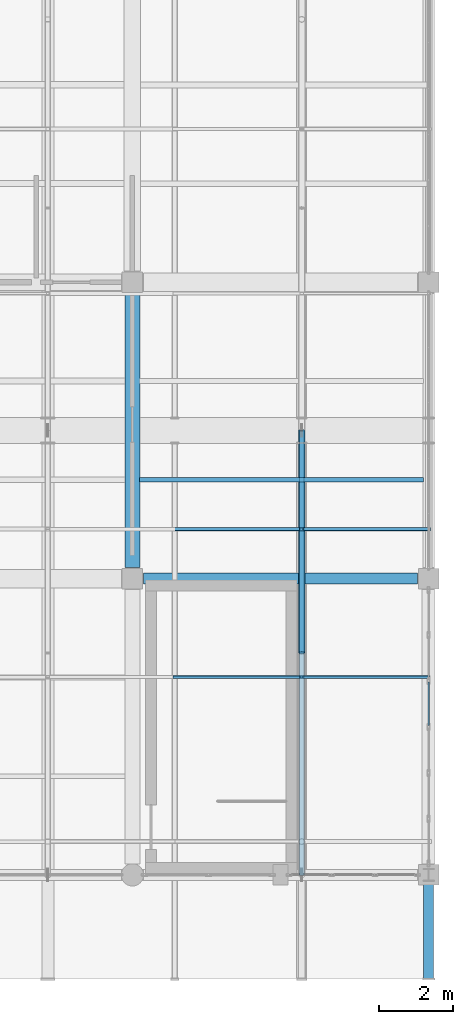
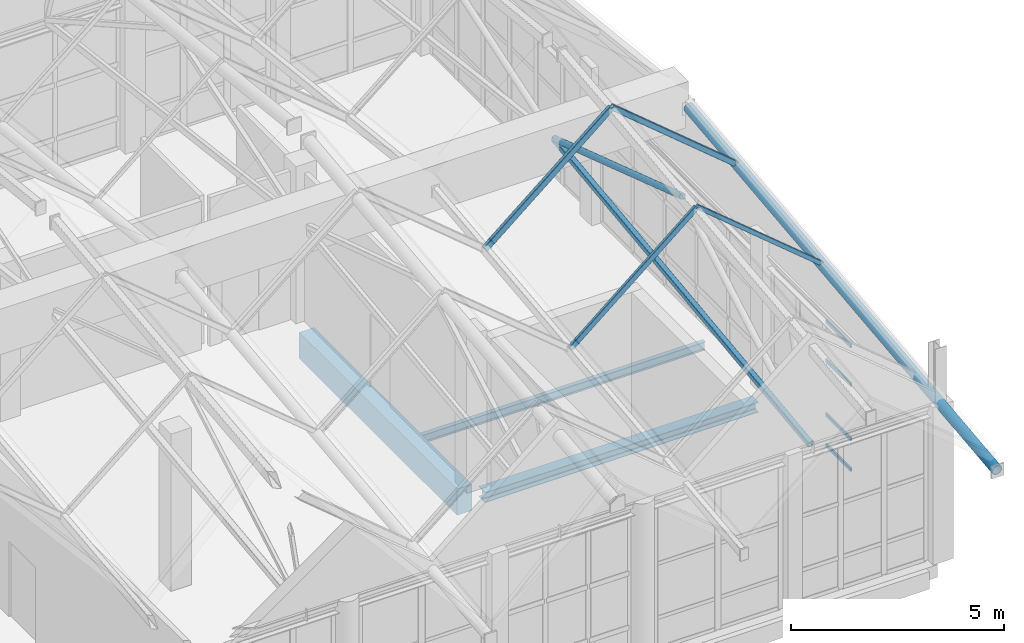
# One storey, part 86 of 183: 10 members, 4 beams, 1 element without a shape of its own.
"""IFC4 building model written with IfcOpenShell, lengths in metres."""

from ifc_helpers import new_model, si_unit, direction, frame, origin, origin_2d, place, context, subcontext, project, spatial, rectangle, hollow_rectangle, hollow_circle, i_section, extrude, material, material_profile, profile_set, type_object, element, aggregate, save


model = new_model("IFC4")

# Units and contexts
model_context = context("Model", 3, precision=1e-05, world=origin(), true_north=direction((0.0, 1.0)))
body_context = subcontext(model_context, "Body", "Model", "MODEL_VIEW")
ifc_project = project(units=[si_unit("LENGTHUNIT", "METRE"), si_unit("AREAUNIT", "SQUARE_METRE"), si_unit("VOLUMEUNIT", "CUBIC_METRE"), si_unit("PLANEANGLEUNIT", "RADIAN"), si_unit("MASSUNIT", "GRAM", prefix="KILO")], contexts=[model_context])

# Site, building, storey
site_placement = place(None, origin())
site = spatial("IfcSite", under=ifc_project, at=site_placement, CompositionType="ELEMENT")
building_placement = place(site_placement, origin())
building = spatial("IfcBuilding", under=site, at=building_placement, Name="Luwemba Playhouse", CompositionType="ELEMENT")
storey_placement = place(building_placement, frame((0.0, 0.0, 4.800048828125)))
storey = spatial("IfcBuildingStorey", under=building, at=storey_placement, Name="L01", CompositionType="ELEMENT", Elevation=4.800048828125)

# Beams
ifc_material_1 = material(Name="Concrete C40/50", Category="concrete")
ifc_material_profile_1 = material_profile(ifc_material_1, rectangle(XDim=0.39990234375, YDim=0.75, at=origin_2d()))
ifc_profile_set_1 = profile_set([ifc_material_profile_1], Name="Concrete C40/50")
beam_type_1 = type_object("IfcBeamType", Name="BM-RB03", PredefinedType="BEAM", material=ifc_profile_set_1)
beam_1_placement = place(storey_placement, frame((164.0, 11.300048828125, -0.625), z_axis=(0.0, 1.0, 0.0), x_axis=(-1.0, 0.0, 0.0)))
element("IfcBeam", 1, at=beam_1_placement, inside=storey, type_object=beam_type_1, Name="L01 transverse girder 0559", PredefinedType="BEAM", context=body_context, shape_type="SweptSolid", body=[
    extrude(rectangle(XDim=0.39990234375, YDim=0.75, at=origin_2d()), origin(), (0.0, 0.0, 1.0), 7.39990234375),
])
ifc_material_2 = material(Name="Steel S355", Category="steel")
ifc_material_profile_2 = material_profile(ifc_material_2, hollow_circle(Radius=0.136474609375, WallThickness=0.012451171875, at=origin_2d()))
ifc_profile_set_2 = profile_set([ifc_material_profile_2], Name="Steel S355")
beam_type_2 = type_object("IfcBeamType", Name="BM-RTG3", PredefinedType="USERDEFINED", material=ifc_profile_set_2)
beam_2_placement = place(storey_placement, frame((172.0, 0.199951171875, 4.15478515625), z_axis=(0.0, 0.993786292845, 0.111305005073), x_axis=(-1.0, 0.0, 0.0)))
element("IfcBeam", 2, at=beam_2_placement, inside=storey, type_object=beam_type_2, Name="ROOF TRUSS valley girder 0340", ObjectType="ROOF TRUSS", PredefinedType="USERDEFINED", context=body_context, shape_type="SweptSolid", body=[
    extrude(hollow_circle(Radius=0.136474609375, WallThickness=0.012451171875, at=origin_2d()), origin(), (0.0, 0.0, 1.0), 14.540283203125),
])
ifc_material_profile_3 = material_profile(ifc_material_2, i_section(OverallWidth=0.300048828125, OverallDepth=0.2900390625, WebThickness=0.008544921875, FlangeThickness=0.013916015625, FilletRadius=0.027099609375, at=origin_2d()))
ifc_profile_set_3 = profile_set([ifc_material_profile_3], Name="Steel S355")
beam_type_3 = type_object("IfcBeamType", Name="BM-SB03", PredefinedType="BEAM", material=ifc_profile_set_3)
beam_3_placement = place(storey_placement, frame((164.300048828125, 11.0, -0.39501953125), z_axis=(1.0, 0.0, 0.0), x_axis=(0.0, 1.0, 0.0)))
element("IfcBeam", 3, at=beam_3_placement, inside=storey, type_object=beam_type_3, Name="L01 grid girder 0530", PredefinedType="BEAM", context=body_context, shape_type="SweptSolid", body=[
    extrude(i_section(OverallWidth=0.300048828125, OverallDepth=0.2900390625, WebThickness=0.008544921875, FlangeThickness=0.013916015625, FilletRadius=0.027099609375, at=origin_2d()), origin(), (0.0, 0.0, 1.0), 7.39990234375),
])
ifc_material_profile_4 = material_profile(ifc_material_2, i_section(OverallWidth=0.1201171875, OverallDepth=0.239990234375, WebThickness=0.006103515625, FlangeThickness=0.009765625, FilletRadius=0.014892578125, at=origin_2d()))
ifc_profile_set_4 = profile_set([ifc_material_profile_4], Name="Steel S355")
beam_type_4 = type_object("IfcBeamType", Name="BM-SJ03", PredefinedType="JOIST", material=ifc_profile_set_4)
beam_4_placement = place(storey_placement, frame((164.196044921875, 13.666748046875, -0.3701171875), z_axis=(1.0, 0.0, 0.0), x_axis=(0.0, 1.0, 0.0)))
element("IfcBeam", 4, at=beam_4_placement, inside=storey, type_object=beam_type_4, Name="L01 composite floor joist 0334", PredefinedType="JOIST", context=body_context, shape_type="SweptSolid", body=[
    extrude(i_section(OverallWidth=0.1201171875, OverallDepth=0.239990234375, WebThickness=0.006103515625, FlangeThickness=0.009765625, FilletRadius=0.014892578125, at=origin_2d()), origin(), (0.0, 0.0, 1.0), 7.657958984375),
])

# Curtain wall, members
ifc_material_3 = material(Name="Solar-control double glazing", Category="glass")
curtain_wall_type = type_object("IfcCurtainWallType", Name="CW-CW131", PredefinedType="USERDEFINED", material=ifc_material_3)
curtain_wall_placement = place(storey_placement, origin())
curtain_wall = element("IfcCurtainWall", 5, at=curtain_wall_placement, inside=storey, type_object=curtain_wall_type, Name="L01 V5E unitised curtain wall 169", ObjectType="UNITISED GLAZING", PredefinedType="USERDEFINED")
ifc_material_4 = material(Name="Aluminium 6063-T6", Category="aluminium")
ifc_material_profile_5 = material_profile(ifc_material_4, hollow_rectangle(XDim=0.050048828125, YDim=0.10009765625, WallThickness=0.00341796875, InnerFilletRadius=0.00537109375, OuterFilletRadius=0.0087890625, at=origin_2d()))
ifc_profile_set_5 = profile_set([ifc_material_profile_5], Name="Aluminium 6063-T6")
member_type_1 = type_object("IfcMemberType", Name="CWT-T4", PredefinedType="USERDEFINED", material=ifc_profile_set_5)
member_1_placement = place(storey_placement, frame((172.0, 8.206787109375, 0.02490234375), z_axis=(0.0, -1.0, 0.0), x_axis=(1.0, 0.0, 0.0)))
member_1 = element("IfcMember", 6, at=member_1_placement, type_object=member_type_1, Name="CW131 transom 3.1", ObjectType="TRANSOM", PredefinedType="USERDEFINED", context=body_context, shape_type="SweptSolid", body=[
    extrude(hollow_rectangle(XDim=0.050048828125, YDim=0.10009765625, WallThickness=0.00341796875, InnerFilletRadius=0.00537109375, OuterFilletRadius=0.0087890625, at=origin_2d()), origin(), (0.0, 0.0, 1.0), 1.171875),
])
member_2_placement = place(storey_placement, frame((172.0, 8.206787109375, 0.89990234375), z_axis=(0.0, -1.0, 0.0), x_axis=(1.0, 0.0, 0.0)))
member_2 = element("IfcMember", 7, at=member_2_placement, type_object=member_type_1, Name="CW131 transom 3.2", ObjectType="TRANSOM", PredefinedType="USERDEFINED", context=body_context, shape_type="SweptSolid", body=[
    extrude(hollow_rectangle(XDim=0.050048828125, YDim=0.10009765625, WallThickness=0.00341796875, InnerFilletRadius=0.00537109375, OuterFilletRadius=0.0087890625, at=origin_2d()), origin(), (0.0, 0.0, 1.0), 1.171875),
])
member_3_placement = place(storey_placement, frame((172.0, 8.206787109375, 2.449951171875), z_axis=(0.0, -1.0, 0.0), x_axis=(1.0, 0.0, 0.0)))
member_3 = element("IfcMember", 8, at=member_3_placement, type_object=member_type_1, Name="CW131 transom 3.3", ObjectType="TRANSOM", PredefinedType="USERDEFINED", context=body_context, shape_type="SweptSolid", body=[
    extrude(hollow_rectangle(XDim=0.050048828125, YDim=0.10009765625, WallThickness=0.00341796875, InnerFilletRadius=0.00537109375, OuterFilletRadius=0.0087890625, at=origin_2d()), origin(), (0.0, 0.0, 1.0), 1.171875),
])
member_4_placement = place(storey_placement, frame((172.0, 8.206787109375, 3.56005859375), z_axis=(0.0, -1.0, 0.0), x_axis=(1.0, 0.0, 0.0)))
member_4 = element("IfcMember", 9, at=member_4_placement, type_object=member_type_1, Name="CW131 transom 3.4", ObjectType="TRANSOM", PredefinedType="USERDEFINED", context=body_context, shape_type="SweptSolid", body=[
    extrude(hollow_rectangle(XDim=0.050048828125, YDim=0.10009765625, WallThickness=0.00341796875, InnerFilletRadius=0.00537109375, OuterFilletRadius=0.0087890625, at=origin_2d()), origin(), (0.0, 0.0, 1.0), 1.171875),
])
aggregate(curtain_wall, [member_1, member_2, member_3, member_4])

# Members
ifc_material_profile_6 = material_profile(ifc_material_2, hollow_circle(Radius=0.084228515625, WallThickness=0.008056640625, at=origin_2d()))
ifc_profile_set_6 = profile_set([ifc_material_profile_6], Name="Steel S355")
member_type_2 = type_object("IfcMemberType", Name="MEM-MB02", PredefinedType="BRACE", material=ifc_profile_set_6)
member_5_placement = place(storey_placement, frame((168.5712890625, 15.0, 5.864013671875), z_axis=(0.0, -0.949053370106, 0.315115376793), x_axis=(1.0, 0.0, 0.0)))
element("IfcMember", 10, at=member_5_placement, inside=storey, type_object=member_type_2, Name="ROOF TRUSS web diagonal 0304", PredefinedType="BRACE", context=body_context, shape_type="SweptSolid", body=[
    extrude(hollow_circle(Radius=0.084228515625, WallThickness=0.008056640625, at=origin_2d()), origin(), (0.0, 0.0, 1.0), 6.322021484375),
])
ifc_material_profile_7 = material_profile(ifc_material_2, hollow_rectangle(XDim=0.14990234375, YDim=0.14990234375, WallThickness=0.010009765625, InnerFilletRadius=0.014892578125, OuterFilletRadius=0.02490234375, at=origin_2d()))
ifc_profile_set_7 = profile_set([ifc_material_profile_7], Name="Steel S355")
member_type_3 = type_object("IfcMemberType", Name="MEM-MC02", PredefinedType="CHORD", material=ifc_profile_set_7)
member_6_placement = place(storey_placement, frame((168.5712890625, 3.0, 4.39990234375), z_axis=(0.0, 0.992638950812, 0.121111161052), x_axis=(-1.0, 0.0, 0.0)))
element("IfcMember", 11, at=member_6_placement, inside=storey, type_object=member_type_3, Name="ROOF TRUSS south bottom chord 0301", PredefinedType="CHORD", context=body_context, shape_type="SweptSolid", body=[
    extrude(hollow_rectangle(XDim=0.14990234375, YDim=0.14990234375, WallThickness=0.010009765625, InnerFilletRadius=0.014892578125, OuterFilletRadius=0.02490234375, at=origin_2d()), origin(), (0.0, 0.0, 1.0), 12.0888671875),
])
ifc_material_profile_8 = material_profile(ifc_material_2, hollow_rectangle(XDim=0.080078125, YDim=0.1201171875, WallThickness=0.00634765625, InnerFilletRadius=0.009521484375, OuterFilletRadius=0.015869140625, at=origin_2d()))
ifc_profile_set_8 = profile_set([ifc_material_profile_8], Name="Steel S355")
member_type_4 = type_object("IfcMemberType", Name="MEM-MP01", PredefinedType="PURLIN", material=ifc_profile_set_8)
member_7_placement = place(storey_placement, frame((168.5712890625, 8.340087890625, 7.970458984375), z_axis=(0.768364765209, 0.0, -0.640012177685), x_axis=(0.0, 1.0, 0.0)))
element("IfcMember", 12, at=member_7_placement, inside=storey, type_object=member_type_4, Name="Pleated roof purlin 0608", PredefinedType="PURLIN", context=body_context, shape_type="SweptSolid", body=[
    extrude(hollow_rectangle(XDim=0.080078125, YDim=0.1201171875, WallThickness=0.00634765625, InnerFilletRadius=0.009521484375, OuterFilletRadius=0.015869140625, at=origin_2d()), origin(), (0.0, 0.0, 1.0), 4.46240234375),
])
ifc_material_profile_9 = material_profile(ifc_material_2, hollow_rectangle(XDim=0.10009765625, YDim=0.14990234375, WallThickness=0.008056640625, InnerFilletRadius=0.011962890625, OuterFilletRadius=0.02001953125, at=origin_2d()))
ifc_profile_set_9 = profile_set([ifc_material_profile_9], Name="Steel S355")
member_type_5 = type_object("IfcMemberType", Name="MEM-MP02", PredefinedType="PURLIN", material=ifc_profile_set_9)
member_8_placement = place(storey_placement, frame((168.5712890625, 12.3359375, 8.394775390625), z_axis=(0.768364765209, 0.0, -0.640012177685), x_axis=(0.0, 1.0, 0.0)))
element("IfcMember", 13, at=member_8_placement, inside=storey, type_object=member_type_5, Name="Pleated roof purlin 0609", PredefinedType="PURLIN", context=body_context, shape_type="SweptSolid", body=[
    extrude(hollow_rectangle(XDim=0.10009765625, YDim=0.14990234375, WallThickness=0.008056640625, InnerFilletRadius=0.011962890625, OuterFilletRadius=0.02001953125, at=origin_2d()), origin(), (0.0, 0.0, 1.0), 4.46240234375),
])
ifc_material_profile_10 = material_profile(ifc_material_2, hollow_rectangle(XDim=0.080078125, YDim=0.159912109375, WallThickness=0.00634765625, InnerFilletRadius=0.009521484375, OuterFilletRadius=0.015869140625, at=origin_2d()))
ifc_profile_set_10 = profile_set([ifc_material_profile_10], Name="Steel S355")
member_type_6 = type_object("IfcMemberType", Name="MEM-MP03", PredefinedType="PURLIN", material=ifc_profile_set_10)
member_9_placement = place(storey_placement, frame((165.142822265625, 8.340087890625, 5.0947265625), z_axis=(0.768369259913, 0.0, 0.640006781543), x_axis=(0.0, 1.0, 0.0)))
element("IfcMember", 14, at=member_9_placement, inside=storey, type_object=member_type_6, Name="Pleated roof purlin 0602", PredefinedType="PURLIN", context=body_context, shape_type="SweptSolid", body=[
    extrude(hollow_rectangle(XDim=0.080078125, YDim=0.159912109375, WallThickness=0.00634765625, InnerFilletRadius=0.009521484375, OuterFilletRadius=0.015869140625, at=origin_2d()), origin(), (0.0, 0.0, 1.0), 4.4619140625),
])
ifc_material_profile_11 = material_profile(ifc_material_2, hollow_rectangle(XDim=0.10009765625, YDim=0.179931640625, WallThickness=0.008056640625, InnerFilletRadius=0.011962890625, OuterFilletRadius=0.02001953125, at=origin_2d()))
ifc_profile_set_11 = profile_set([ifc_material_profile_11], Name="Steel S355")
member_type_7 = type_object("IfcMemberType", Name="MEM-MP04", PredefinedType="PURLIN", material=ifc_profile_set_11)
member_10_placement = place(storey_placement, frame((165.142822265625, 12.3359375, 5.52392578125), z_axis=(0.768369259913, 0.0, 0.640006781543), x_axis=(0.0, 1.0, 0.0)))
element("IfcMember", 15, at=member_10_placement, inside=storey, type_object=member_type_7, Name="Pleated roof purlin 0603", PredefinedType="PURLIN", context=body_context, shape_type="SweptSolid", body=[
    extrude(hollow_rectangle(XDim=0.10009765625, YDim=0.179931640625, WallThickness=0.008056640625, InnerFilletRadius=0.011962890625, OuterFilletRadius=0.02001953125, at=origin_2d()), origin(), (0.0, 0.0, 1.0), 4.4619140625),
])

save(model, "model.ifc")
